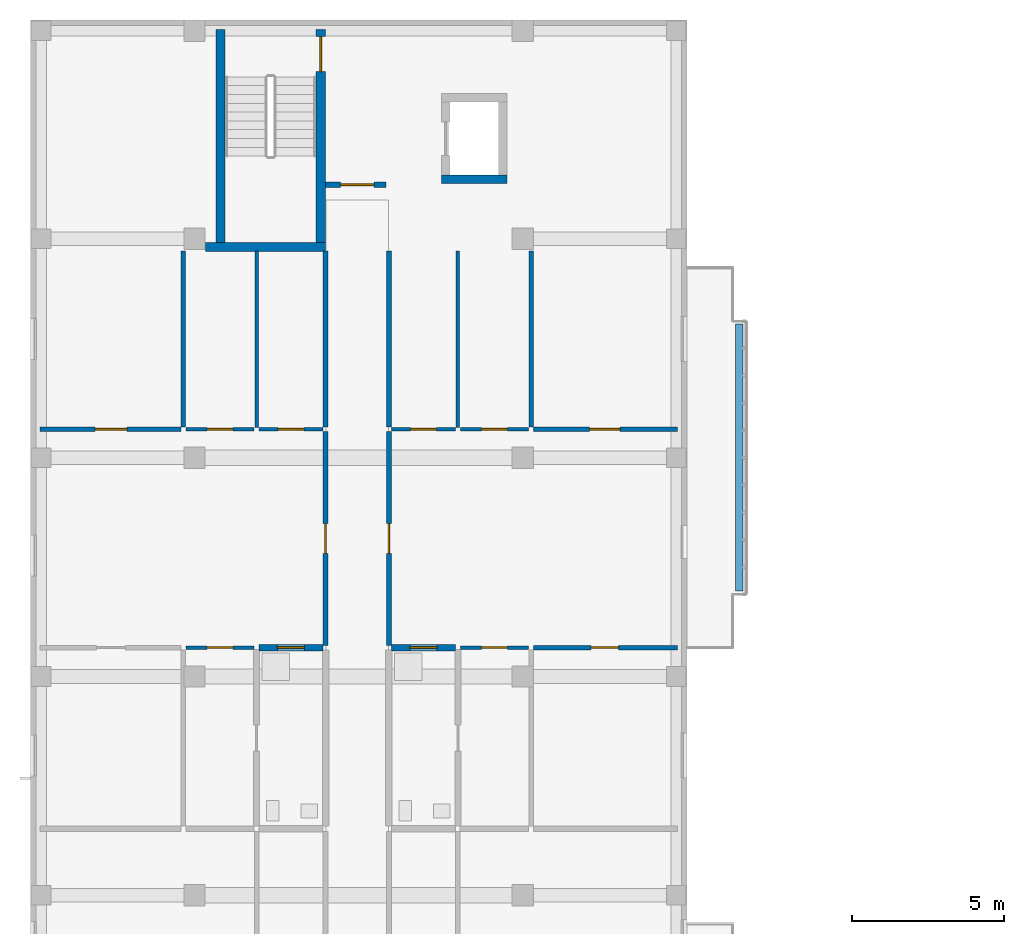
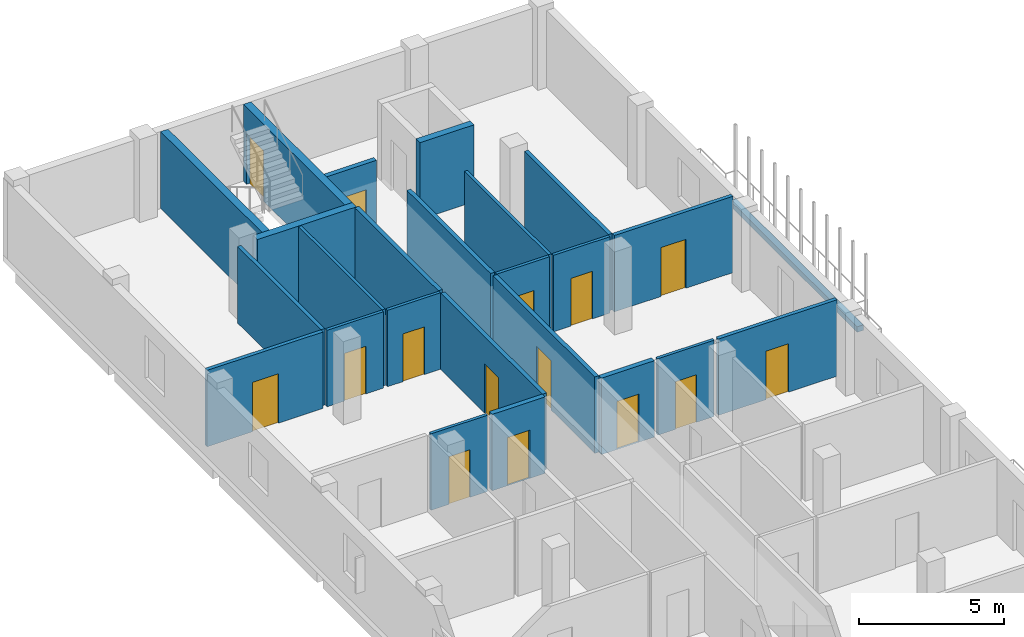
# One storey, part 43 of 73: 25 walls, 15 doors, 15 openings.
"""IFC4 building model written with IfcOpenShell, lengths in metres."""

import ifcopenshell
import ifcopenshell.guid

model = None  # the IFC model being written
_history = None  # IfcOwnerHistory: only IFC2X3 demands one
_inside = {}  # id of a spatial element -> (the spatial element, [elements in it])
_under = {}  # id of a project, library or spatial element -> (it, [spatial elements below it])
_declared = {}  # id of a project -> (the project, [libraries it declares])
_typed = {}  # id of a type object -> (the type object, [elements of that type])
_made_of = {}  # id of a material, layer set ... -> (it, [elements and type objects made of it])


def new_model(schema):
    """Start an empty IFC model of exactly this schema.

    Asked for "IFC4X3", IfcOpenShell would pick the latest addendum, in which some entities
    have other attributes; the version numbers below select the first issue.
    IFC2X3 requires an IfcOwnerHistory on every rooted entity: one is made here for all.
    """
    global model, _history
    if schema == "IFC4X3":
        model = ifcopenshell.file(schema_version=(4, 3, 0, 0))
    else:
        model = ifcopenshell.file(schema=schema)
    _inside.clear()
    _under.clear()
    _declared.clear()
    _typed.clear()
    _made_of.clear()
    _history = None
    if model.schema == "IFC2X3":
        org = make("IfcOrganization", Name="unknown")
        user = make(
            "IfcPersonAndOrganization",
            ThePerson=make("IfcPerson", FamilyName="unknown"),
            TheOrganization=org,
        )
        app = make(
            "IfcApplication",
            ApplicationDeveloper=org,
            Version="unknown",
            ApplicationFullName="unknown",
            ApplicationIdentifier="unknown",
        )
        _history = make(
            "IfcOwnerHistory",
            OwningUser=user,
            OwningApplication=app,
            ChangeAction="ADDED",
            CreationDate=0,
        )
    return model


def make(cls, **values):
    """One entity of the class cls with the attributes given. An attribute that is None is left unset."""
    return model.create_entity(
        cls, **{name: value for name, value in values.items() if value is not None}
    )


def rooted(cls, **values):
    """An entity with a GlobalId (a new one), such as an element, a storey or a relation."""
    return make(cls, GlobalId=ifcopenshell.guid.new(), OwnerHistory=_history, **values)


def si_unit(unit_type, name, prefix=None):
    """IfcSIUnit, for example si_unit("LENGTHUNIT", "METRE", prefix="MILLI")."""
    return make("IfcSIUnit", UnitType=unit_type, Prefix=prefix, Name=name)


def derived_unit(unit_type, elements):
    """IfcDerivedUnit: a product of units, each with its exponent."""
    return make(
        "IfcDerivedUnit",
        Elements=[
            make("IfcDerivedUnitElement", Unit=unit, Exponent=power)
            for unit, power in elements
        ],
        UnitType=unit_type,
    )


def assignment(units):
    """IfcUnitAssignment: the units of a project."""
    return None if units is None else make("IfcUnitAssignment", Units=units)


def point(xyz):
    """IfcCartesianPoint."""
    return None if xyz is None else make("IfcCartesianPoint", Coordinates=xyz)


def direction(xyz):
    """IfcDirection."""
    return None if xyz is None else make("IfcDirection", DirectionRatios=xyz)


def frame(location, z_axis=None, x_axis=None):
    """IfcAxis2Placement3D, a coordinate frame: its origin and axes. An axis left out is left unset."""
    return make(
        "IfcAxis2Placement3D",
        Location=point(location),
        Axis=direction(z_axis),
        RefDirection=direction(x_axis),
    )


def frame_2d(location, x_axis=None):
    """IfcAxis2Placement2D, a coordinate frame in the plane: its origin and x axis."""
    return make(
        "IfcAxis2Placement2D", Location=point(location), RefDirection=direction(x_axis)
    )


def origin():
    """The frame at (0, 0, 0) with its axes left unset."""
    return frame((0.0, 0.0, 0.0))


def place(relative_to, where):
    """IfcLocalPlacement: puts the frame where relative to a parent placement (None: the world)."""
    return make(
        "IfcLocalPlacement", PlacementRelTo=relative_to, RelativePlacement=where
    )


def context(
    kind, dimensions, precision=None, world=None, true_north=None, identifier=None
):
    """IfcGeometricRepresentationContext, for example the 3D "Model" context."""
    return make(
        "IfcGeometricRepresentationContext",
        ContextIdentifier=identifier,
        ContextType=kind,
        CoordinateSpaceDimension=dimensions,
        Precision=precision,
        WorldCoordinateSystem=world,
        TrueNorth=true_north,
    )


def subcontext(parent, identifier, kind, view, scale=None):
    """IfcGeometricRepresentationSubContext, for example "Body" below "Model"."""
    return make(
        "IfcGeometricRepresentationSubContext",
        ContextIdentifier=identifier,
        ContextType=kind,
        ParentContext=parent,
        TargetScale=scale,
        TargetView=view,
    )


def project(units=None, contexts=None):
    """IfcProject with its units and contexts."""
    return rooted(
        "IfcProject",
        Name="project",
        RepresentationContexts=contexts,
        UnitsInContext=assignment(units),
    )


def spatial(cls, under=None, at=None, **own):
    """A site, building, storey or space (cls), placed at a placement, below another one or the project."""
    s = rooted(cls, ObjectPlacement=at, **own)
    if under is not None:
        _under.setdefault(under.id(), (under, []))[1].append(s)
    return s


def profile(cls, at=None, kind="AREA", **sizes):
    """A parametric profile (cls). Its sizes go by their IFC names, for example OverallWidth=200.0."""
    return make(cls, ProfileType=kind, Position=at, **sizes)


def rectangle(**sizes):
    """IfcRectangleProfileDef."""
    return profile("IfcRectangleProfileDef", **sizes)


def extrude(swept, where, along, depth):
    """IfcExtrudedAreaSolid: the profile swept, set in the frame where, extruded along a direction by depth."""
    return make(
        "IfcExtrudedAreaSolid",
        SweptArea=swept,
        Position=where,
        ExtrudedDirection=direction(along),
        Depth=depth,
    )


def shape(context_of_items, identifier, shape_type, items):
    """IfcShapeRepresentation: the items that make up one representation, for example the "Body"."""
    return make(
        "IfcShapeRepresentation",
        ContextOfItems=context_of_items,
        RepresentationIdentifier=identifier,
        RepresentationType=shape_type,
        Items=items,
    )


def material(Name=None, Category=None):
    """IfcMaterial."""
    return make("IfcMaterial", Name=Name, Category=Category)


def layer(
    of_material, thickness, ventilated=None, Name=None, Category=None, Priority=None
):
    """IfcMaterialLayer: one layer of a wall or slab, of a material (None: an air gap)."""
    return make(
        "IfcMaterialLayer",
        Material=of_material,
        LayerThickness=thickness,
        IsVentilated=ventilated,
        Name=Name,
        Category=Category,
        Priority=Priority,
    )


def layer_set(layers, Name=None):
    """IfcMaterialLayerSet."""
    return make("IfcMaterialLayerSet", MaterialLayers=layers, LayerSetName=Name)


def made_of(thing, what):
    """Note that an element or type object is made of a material, layer set ...; save() writes the relation."""
    if what is not None:
        _made_of.setdefault(what.id(), (what, []))[1].append(thing)
    return thing


def type_object(cls, material=None, **own):
    """A type object (cls), such as IfcWallType, which elements share."""
    return made_of(rooted(cls, **own), material)


def element(
    cls,
    number,
    at=None,
    inside=None,
    cuts=None,
    type_object=None,
    material=None,
    context=None,
    identifier="Body",
    shape_type=None,
    held_by="IfcProductDefinitionShape",
    body=None,
    shapes=None,
    **own,
):
    """One element of the class cls, such as IfcWall. Its Tag is "e" and its number.

    at: its placement. inside: the storey or other place that contains it. cuts: it is an
    opening in that element (IfcRelVoidsElement). A single representation is given by context,
    identifier, shape_type and body (its items); several are given by shapes. held_by: the class
    of the entity that holds the representations. save() writes the other relations.
    """
    e = rooted(cls, Tag="e%d" % number, ObjectPlacement=at, **own)
    if body is not None:
        shapes = [shape(context, identifier, shape_type, body)]
    if shapes is not None:
        e.Representation = make(held_by, Representations=shapes)
    if inside is not None:
        _inside.setdefault(inside.id(), (inside, []))[1].append(e)
    if cuts is not None:
        rooted(
            "IfcRelVoidsElement", RelatingBuildingElement=cuts, RelatedOpeningElement=e
        )
    if type_object is not None:
        _typed.setdefault(type_object.id(), (type_object, []))[1].append(e)
    return made_of(e, material)


def fill(opening, filler):
    """IfcRelFillsElement: the door or window that sits in an opening."""
    return rooted(
        "IfcRelFillsElement",
        RelatingOpeningElement=opening,
        RelatedBuildingElement=filler,
    )


def aggregate(whole, parts):
    """IfcRelAggregates: a whole, such as a stair, and the parts it consists of."""
    return rooted("IfcRelAggregates", RelatingObject=whole, RelatedObjects=parts)


def save(model, path):
    """Write the relations noted so far, then the file.

    IfcRelAggregates (storeys below a building ...), IfcRelContainedInSpatialStructure (elements
    in a storey), IfcRelDefinesByType, IfcRelAssociatesMaterial and IfcRelDeclares: one each for
    every whole, place, type object, material and project.
    """
    for whole, parts in _under.values():
        aggregate(whole, parts)
    for where, things in _inside.values():
        rooted(
            "IfcRelContainedInSpatialStructure",
            RelatedElements=things,
            RelatingStructure=where,
        )
    for kind, things in _typed.values():
        rooted("IfcRelDefinesByType", RelatedObjects=things, RelatingType=kind)
    for what, things in _made_of.values():
        rooted("IfcRelAssociatesMaterial", RelatedObjects=things, RelatingMaterial=what)
    for by, libraries in _declared.values():
        rooted("IfcRelDeclares", RelatingContext=by, RelatedDefinitions=libraries)
    model.write(path)


model = new_model("IFC4")

# Units and contexts
model_context = context("Model", 3, precision=1e-05, world=origin(), true_north=direction((0.0, 1.0)))
body_context = subcontext(model_context, "Body", "Model", "MODEL_VIEW")
ifc_project = project(units=[si_unit("LENGTHUNIT", "METRE"), si_unit("AREAUNIT", "SQUARE_METRE"), si_unit("VOLUMEUNIT", "CUBIC_METRE"), si_unit("PLANEANGLEUNIT", "RADIAN"), si_unit("MASSUNIT", "GRAM", prefix="KILO"), derived_unit("THERMALTRANSMITTANCEUNIT", [(si_unit("MASSUNIT", "GRAM", prefix="KILO"), 1), (si_unit("TIMEUNIT", "SECOND"), -3), (si_unit("THERMODYNAMICTEMPERATUREUNIT", "KELVIN"), -1)])], contexts=[model_context])

# Site, building, storey
site_placement = place(None, origin())
site = spatial("IfcSite", under=ifc_project, at=site_placement, CompositionType="ELEMENT")
building_placement = place(site_placement, origin())
building = spatial("IfcBuilding", under=site, at=building_placement, Name="Ochrekiln Boulevard Commons", CompositionType="ELEMENT")
storey_placement = place(building_placement, frame((0.0, 0.0, 8.574951171875)))
storey = spatial("IfcBuildingStorey", under=building, at=storey_placement, Name="L02", CompositionType="ELEMENT", Elevation=8.574951171875)

# Wall, opening, door
ifc_material_1 = material(Name="Moisture-resistant cementitious tile backer wall")
ifc_layer_1 = layer(ifc_material_1, 0.199951171875)
ifc_layer_set_1 = layer_set([ifc_layer_1], Name="Moisture-resistant cementitious tile backer wall")
wall_type_1 = type_object("IfcWallType", Name="WL-PLM-200", PredefinedType="PLUMBINGWALL", material=ifc_layer_set_1)
wall_1_placement = place(storey_placement, frame((7.52001953125, 98.14697265625, 0.0), z_axis=(0.0, 0.0, 1.0), x_axis=(1.0, 0.0, 0.0)))
wall_1 = element("IfcWall", 1, at=wall_1_placement, inside=storey, type_object=wall_type_1, Name="L02 Interior Wall W-PW200", PredefinedType="PLUMBINGWALL", context=body_context, shape_type="SweptSolid", body=[
    extrude(rectangle(XDim=2.10791015625, YDim=0.199951171875, at=frame_2d((1.053955078125, 0.0))), origin(), (0.0, 0.0, 1.0), 3.219970703125),
])
opening_1_placement = place(wall_1_placement, frame((0.60498046875, 0.0, 0.0)))
opening_1 = element("IfcOpeningElement", 2, at=opening_1_placement, cuts=wall_1, Name="Opening D-L02-318", PredefinedType="OPENING", context=body_context, shape_type="SweptSolid", body=[
    extrude(rectangle(XDim=0.889892578125, YDim=2.030029296875, at=frame_2d((0.44482421875, 1.01513671875))), frame((0.0, 0.10986328125, 0.0), z_axis=(0.0, -1.0, 0.0), x_axis=(1.0, 0.0, 0.0)), (0.0, 0.0, 1.0), 0.219970703125),
])
ifc_material_2 = material(Name="Solid core architectural oak door leaf")
door_type_1 = type_object("IfcDoorType", Name="DR-INT-BTH-089", OperationType="NOTDEFINED", PredefinedType="DOOR", material=ifc_material_2)
door_1_placement = place(opening_1_placement, frame((0.889892578125, 0.0, 0.0), z_axis=(0.0, 0.0, 1.0), x_axis=(-1.0, 0.0, 0.0)))
door_1 = element("IfcDoor", 3, at=door_1_placement, inside=storey, type_object=door_type_1, Name="L02 Interior Door to Apartment Bathroom", OperationType="SINGLE_SWING_RIGHT", OverallHeight=2.030029296875, OverallWidth=0.889892578125, PredefinedType="DOOR", context=body_context, shape_type="SweptSolid", body=[
    extrude(rectangle(XDim=0.889892578125, YDim=2.030029296875, at=frame_2d((0.44482421875, 1.01513671875))), frame((0.0, 0.02490234375, 0.0), z_axis=(0.0, -1.0, 0.0), x_axis=(1.0, 0.0, 0.0)), (0.0, 0.0, 1.0), 0.050048828125),
])
fill(opening_1, door_1)

wall_2_placement = place(storey_placement, frame((11.8720703125, 98.14697265625, 0.0), z_axis=(0.0, 0.0, 1.0), x_axis=(1.0, 0.0, 0.0)))
wall_2 = element("IfcWall", 4, at=wall_2_placement, inside=storey, type_object=wall_type_1, Name="L02 Interior Wall W-PW200", PredefinedType="PLUMBINGWALL", context=body_context, shape_type="SweptSolid", body=[
    extrude(rectangle(XDim=2.10791015625, YDim=0.199951171875, at=frame_2d((1.053955078125, 0.0))), origin(), (0.0, 0.0, 1.0), 3.219970703125),
])
opening_2_placement = place(wall_2_placement, frame((0.613037109375, 0.0, 0.0)))
opening_2 = element("IfcOpeningElement", 5, at=opening_2_placement, cuts=wall_2, Name="Opening D-L02-329", PredefinedType="OPENING", context=body_context, shape_type="SweptSolid", body=[
    extrude(rectangle(XDim=0.889892578125, YDim=2.030029296875, at=frame_2d((0.44482421875, 1.01513671875))), frame((0.0, 0.10986328125, 0.0), z_axis=(0.0, -1.0, 0.0), x_axis=(1.0, 0.0, 0.0)), (0.0, 0.0, 1.0), 0.219970703125),
])
door_2_placement = place(opening_2_placement, frame((0.889892578125, 0.0, 0.0), z_axis=(0.0, 0.0, 1.0), x_axis=(-1.0, 0.0, 0.0)))
door_2 = element("IfcDoor", 6, at=door_2_placement, inside=storey, type_object=door_type_1, Name="L02 Interior Door to Apartment Bathroom", OperationType="SINGLE_SWING_LEFT", OverallHeight=2.030029296875, OverallWidth=0.889892578125, PredefinedType="DOOR", context=body_context, shape_type="SweptSolid", body=[
    extrude(rectangle(XDim=0.889892578125, YDim=2.030029296875, at=frame_2d((0.44482421875, 1.01513671875))), frame((0.0, 0.02490234375, 0.0), z_axis=(0.0, -1.0, 0.0), x_axis=(1.0, 0.0, 0.0)), (0.0, 0.0, 1.0), 0.050048828125),
])
fill(opening_2, door_2)

# Wall
ifc_material_3 = material(Name="Glazed architectural terracotta ASTM C1405", Category="masonry")
ifc_layer_2 = layer(ifc_material_3, 0.25)
ifc_layer_set_2 = layer_set([ifc_layer_2], Name="Glazed architectural terracotta ASTM C1405")
wall_type_2 = type_object("IfcWallType", Name="WL-PLN-250", PredefinedType="PARAPET", material=ifc_layer_set_2)
wall_3_placement = place(storey_placement, frame((23.320068359375, 100.010009765625, 0.0), z_axis=(0.0, 0.0, 1.0), x_axis=(0.0, 1.0, 0.0)))
element("IfcWall", 7, at=wall_3_placement, inside=storey, type_object=wall_type_2, Name="Block A L02 Balcony Terracotta Planter Box 2", PredefinedType="PARAPET", context=body_context, shape_type="SweptSolid", body=[
    extrude(rectangle(XDim=8.780029296875, YDim=0.25, at=frame_2d((4.39013671875, 0.0))), origin(), (0.0, 0.0, 1.0), 0.22998046875),
])

# Wall, opening, door
ifc_material_4 = material(Name="Fire-rated Type X gypsum board on steel studs", Category="steel")
ifc_layer_3 = layer(ifc_material_4, 0.1650390625)
ifc_layer_set_3 = layer_set([ifc_layer_3], Name="Fire-rated Type X gypsum board on steel studs")
wall_type_3 = type_object("IfcWallType", Name="WL-PT-CORR-165", PredefinedType="PARTITIONING", material=ifc_layer_set_3)
wall_4_placement = place(storey_placement, frame((9.7099609375, 98.22705078125, 0.0), z_axis=(0.0, 0.0, 1.0), x_axis=(0.0, 1.0, 0.0)))
wall_4 = element("IfcWall", 8, at=wall_4_placement, inside=storey, type_object=wall_type_3, Name="L02 Interior Wall W-PC165", PredefinedType="PARTITIONING", context=body_context, shape_type="SweptSolid", body=[
    extrude(rectangle(XDim=7.02783203125, YDim=0.1650390625, at=frame_2d((3.513916015625, 0.0))), origin(), (0.0, 0.0, 1.0), 3.219970703125),
])
opening_3_placement = place(wall_4_placement, frame((3.02392578125, 0.0, 0.0)))
opening_3 = element("IfcOpeningElement", 9, at=opening_3_placement, cuts=wall_4, Name="Opening D-L02-311", PredefinedType="OPENING", context=body_context, shape_type="SweptSolid", body=[
    extrude(rectangle(XDim=0.97998046875, YDim=2.080078125, at=frame_2d((0.489990234375, 1.0400390625))), frame((0.0, 0.092529296875, 0.0), z_axis=(0.0, -1.0, 0.0), x_axis=(1.0, 0.0, 0.0)), (0.0, 0.0, 1.0), 0.18505859375),
])
door_type_2 = type_object("IfcDoorType", Name="DR-APT-60", OperationType="NOTDEFINED", PredefinedType="DOOR", material=ifc_material_2)
door_3_placement = place(opening_3_placement, origin())
door_3 = element("IfcDoor", 10, at=door_3_placement, inside=storey, type_object=door_type_2, Name="L02 Interior Door to Two-Bedroom Apartment Living Room", OperationType="SINGLE_SWING_LEFT", OverallHeight=2.080078125, OverallWidth=0.97998046875, PredefinedType="DOOR", context=body_context, shape_type="SweptSolid", body=[
    extrude(rectangle(XDim=0.97998046875, YDim=2.080078125, at=frame_2d((0.489990234375, 1.0400390625))), frame((0.0, 0.02490234375, 0.0), z_axis=(0.0, -1.0, 0.0), x_axis=(1.0, 0.0, 0.0)), (0.0, 0.0, 1.0), 0.050048828125),
])
fill(opening_3, door_3)

# Wall
wall_5_placement = place(storey_placement, frame((9.7099609375, 105.4150390625, 0.0), z_axis=(0.0, 0.0, 1.0), x_axis=(0.0, 1.0, 0.0)))
element("IfcWall", 11, at=wall_5_placement, inside=storey, type_object=wall_type_3, Name="L02 Interior Wall W-PC165", PredefinedType="PARTITIONING", context=body_context, shape_type="SweptSolid", body=[
    extrude(rectangle(XDim=5.784912109375, YDim=0.1650390625, at=frame_2d((2.892578125, 0.0))), origin(), (0.0, 0.0, 1.0), 3.219970703125),
])

# Wall, opening, door
wall_6_placement = place(storey_placement, frame((11.7900390625, 98.22705078125, 0.0), z_axis=(0.0, 0.0, 1.0), x_axis=(0.0, 1.0, 0.0)))
wall_6 = element("IfcWall", 12, at=wall_6_placement, inside=storey, type_object=wall_type_3, Name="L02 Interior Wall W-PC165", PredefinedType="PARTITIONING", context=body_context, shape_type="SweptSolid", body=[
    extrude(rectangle(XDim=7.02783203125, YDim=0.1650390625, at=frame_2d((3.513916015625, 0.0))), origin(), (0.0, 0.0, 1.0), 3.219970703125),
])
opening_4_placement = place(wall_6_placement, frame((3.02392578125, 0.0, 0.0)))
opening_4 = element("IfcOpeningElement", 13, at=opening_4_placement, cuts=wall_6, Name="Opening D-L02-313", PredefinedType="OPENING", context=body_context, shape_type="SweptSolid", body=[
    extrude(rectangle(XDim=0.97998046875, YDim=2.080078125, at=frame_2d((0.489990234375, 1.0400390625))), frame((0.0, 0.092529296875, 0.0), z_axis=(0.0, -1.0, 0.0), x_axis=(1.0, 0.0, 0.0)), (0.0, 0.0, 1.0), 0.18505859375),
])
door_4_placement = place(opening_4_placement, frame((0.97998046875, 0.0, 0.0), z_axis=(0.0, 0.0, 1.0), x_axis=(-1.0, 0.0, 0.0)))
door_4 = element("IfcDoor", 14, at=door_4_placement, inside=storey, type_object=door_type_2, Name="L02 Interior Door to Two-Bedroom Apartment Living Room", OperationType="SINGLE_SWING_LEFT", OverallHeight=2.080078125, OverallWidth=0.97998046875, PredefinedType="DOOR", context=body_context, shape_type="SweptSolid", body=[
    extrude(rectangle(XDim=0.97998046875, YDim=2.080078125, at=frame_2d((0.489990234375, 1.0400390625))), frame((0.0, 0.02490234375, 0.0), z_axis=(0.0, -1.0, 0.0), x_axis=(1.0, 0.0, 0.0)), (0.0, 0.0, 1.0), 0.050048828125),
])
fill(opening_4, door_4)

# Wall
wall_7_placement = place(storey_placement, frame((11.7900390625, 105.4150390625, 0.0), z_axis=(0.0, 0.0, 1.0), x_axis=(0.0, 1.0, 0.0)))
element("IfcWall", 15, at=wall_7_placement, inside=storey, type_object=wall_type_3, Name="L02 Interior Wall W-PC165", PredefinedType="PARTITIONING", context=body_context, shape_type="SweptSolid", body=[
    extrude(rectangle(XDim=5.784912109375, YDim=0.1650390625, at=frame_2d((2.892578125, 0.0))), origin(), (0.0, 0.0, 1.0), 3.219970703125),
])

# Wall, opening, door
ifc_layer_4 = layer(ifc_material_4, 0.18994140625)
ifc_layer_set_4 = layer_set([ifc_layer_4], Name="Fire-rated Type X gypsum board on steel studs")
wall_type_4 = type_object("IfcWallType", Name="WL-PT-LBY-190", PredefinedType="PARTITIONING", material=ifc_layer_set_4)
wall_8_placement = place(storey_placement, frame((9.699951171875, 113.3798828125, 0.0), z_axis=(0.0, 0.0, 1.0), x_axis=(1.0, 0.0, 0.0)))
wall_8 = element("IfcWall", 16, at=wall_8_placement, inside=storey, type_object=wall_type_4, Name="L02 Interior Wall W-PL190", PredefinedType="PARTITIONING", context=body_context, shape_type="SweptSolid", body=[
    extrude(rectangle(XDim=2.0, YDim=0.18994140625, at=frame_2d((1.0, 0.0))), origin(), (0.0, 0.0, 1.0), 3.219970703125),
])
opening_5_placement = place(wall_8_placement, frame((0.5, 0.0, 0.0)))
opening_5 = element("IfcOpeningElement", 17, at=opening_5_placement, cuts=wall_8, Name="Opening D-L02-308", PredefinedType="OPENING", context=body_context, shape_type="SweptSolid", body=[
    extrude(rectangle(XDim=1.10009765625, YDim=2.1201171875, at=frame_2d((0.550048828125, 1.06005859375))), frame((0.0, 0.10498046875, 0.0), z_axis=(0.0, -1.0, 0.0), x_axis=(1.0, 0.0, 0.0)), (0.0, 0.0, 1.0), 0.2099609375),
])
ifc_material_5 = material(Name="Hollow metal fire-rated steel door assembly", Category="steel")
door_type_3 = type_object("IfcDoorType", Name="DR-LOBBY-60", OperationType="NOTDEFINED", PredefinedType="DOOR", material=ifc_material_5)
door_5_placement = place(opening_5_placement, origin())
door_5 = element("IfcDoor", 18, at=door_5_placement, inside=storey, type_object=door_type_3, Name="L02 Interior Door to Fire Service Access Elevator Lobby", OperationType="SINGLE_SWING_RIGHT", OverallHeight=2.1201171875, OverallWidth=1.10009765625, PredefinedType="DOOR", context=body_context, shape_type="SweptSolid", body=[
    extrude(rectangle(XDim=1.10009765625, YDim=2.1201171875, at=frame_2d((0.550048828125, 1.06005859375))), frame((0.0, 0.02490234375, 0.0), z_axis=(0.0, -1.0, 0.0), x_axis=(1.0, 0.0, 0.0)), (0.0, 0.0, 1.0), 0.050048828125),
])
fill(opening_5, door_5)

ifc_layer_5 = layer(ifc_material_4, 0.1201171875)
ifc_layer_set_5 = layer_set([ifc_layer_5], Name="Fire-rated Type X gypsum board on steel studs")
wall_type_5 = type_object("IfcWallType", Name="WL-PT-LGT-120", PredefinedType="PARTITIONING", material=ifc_layer_set_5)
wall_9_placement = place(storey_placement, frame((7.52001953125, 105.3349609375, 0.0), z_axis=(0.0, 0.0, 1.0), x_axis=(1.0, 0.0, 0.0)))
wall_9 = element("IfcWall", 19, at=wall_9_placement, inside=storey, type_object=wall_type_5, Name="L02 Interior Wall W-PL120", PredefinedType="PARTITIONING", context=body_context, shape_type="SweptSolid", body=[
    extrude(rectangle(XDim=2.10791015625, YDim=0.1201171875, at=frame_2d((1.053955078125, 0.0))), origin(), (0.0, 0.0, 1.0), 3.219970703125),
])
opening_6_placement = place(wall_9_placement, frame((0.625, 0.0, 0.0)))
opening_6 = element("IfcOpeningElement", 20, at=opening_6_placement, cuts=wall_9, Name="Opening D-L02-319", PredefinedType="OPENING", context=body_context, shape_type="SweptSolid", body=[
    extrude(rectangle(XDim=0.85009765625, YDim=2.010009765625, at=frame_2d((0.425048828125, 1.0048828125))), frame((0.0, 0.070068359375, 0.0), z_axis=(0.0, -1.0, 0.0), x_axis=(1.0, 0.0, 0.0)), (0.0, 0.0, 1.0), 0.14013671875),
])
door_type_4 = type_object("IfcDoorType", Name="DR-INT-KIT-085", OperationType="NOTDEFINED", PredefinedType="DOOR", material=ifc_material_2)
door_6_placement = place(opening_6_placement, origin())
door_6 = element("IfcDoor", 21, at=door_6_placement, inside=storey, type_object=door_type_4, Name="L02 Interior Door to Apartment Kitchen", OperationType="SINGLE_SWING_LEFT", OverallHeight=2.010009765625, OverallWidth=0.85009765625, PredefinedType="DOOR", context=body_context, shape_type="SweptSolid", body=[
    extrude(rectangle(XDim=0.85009765625, YDim=2.010009765625, at=frame_2d((0.425048828125, 1.0048828125))), frame((0.0, 0.02490234375, 0.0), z_axis=(0.0, -1.0, 0.0), x_axis=(1.0, 0.0, 0.0)), (0.0, 0.0, 1.0), 0.050048828125),
])
fill(opening_6, door_6)

wall_10_placement = place(storey_placement, frame((5.110107421875, 98.14697265625, 0.0), z_axis=(0.0, 0.0, 1.0), x_axis=(1.0, 0.0, 0.0)))
wall_10 = element("IfcWall", 22, at=wall_10_placement, inside=storey, type_object=wall_type_5, Name="L02 Interior Wall W-PL120", PredefinedType="PARTITIONING", context=body_context, shape_type="SweptSolid", body=[
    extrude(rectangle(XDim=2.25, YDim=0.1201171875, at=frame_2d((1.125, 0.0))), origin(), (0.0, 0.0, 1.0), 3.219970703125),
])
opening_7_placement = place(wall_10_placement, frame((0.699951171875, 0.0, 0.0)))
opening_7 = element("IfcOpeningElement", 23, at=opening_7_placement, cuts=wall_10, Name="Opening D-L02-321", PredefinedType="OPENING", context=body_context, shape_type="SweptSolid", body=[
    extrude(rectangle(XDim=0.85009765625, YDim=2.010009765625, at=frame_2d((0.425048828125, 1.0048828125))), frame((0.0, 0.070068359375, 0.0), z_axis=(0.0, -1.0, 0.0), x_axis=(1.0, 0.0, 0.0)), (0.0, 0.0, 1.0), 0.14013671875),
])
door_7_placement = place(opening_7_placement, frame((0.85009765625, 0.0, 0.0), z_axis=(0.0, 0.0, 1.0), x_axis=(-1.0, 0.0, 0.0)))
door_7 = element("IfcDoor", 24, at=door_7_placement, inside=storey, type_object=door_type_4, Name="L02 Interior Door to Apartment Walk-In Wardrobe", OperationType="SINGLE_SWING_LEFT", OverallHeight=2.010009765625, OverallWidth=0.85009765625, PredefinedType="DOOR", context=body_context, shape_type="SweptSolid", body=[
    extrude(rectangle(XDim=0.85009765625, YDim=2.010009765625, at=frame_2d((0.425048828125, 1.0048828125))), frame((0.0, 0.02490234375, 0.0), z_axis=(0.0, -1.0, 0.0), x_axis=(1.0, 0.0, 0.0)), (0.0, 0.0, 1.0), 0.050048828125),
])
fill(opening_7, door_7)

wall_11_placement = place(storey_placement, frame((5.110107421875, 105.3349609375, 0.0), z_axis=(0.0, 0.0, 1.0), x_axis=(1.0, 0.0, 0.0)))
wall_11 = element("IfcWall", 25, at=wall_11_placement, inside=storey, type_object=wall_type_5, Name="L02 Interior Wall W-PL120", PredefinedType="PARTITIONING", context=body_context, shape_type="SweptSolid", body=[
    extrude(rectangle(XDim=2.25, YDim=0.1201171875, at=frame_2d((1.125, 0.0))), origin(), (0.0, 0.0, 1.0), 3.219970703125),
])
opening_8_placement = place(wall_11_placement, frame((0.699951171875, 0.0, 0.0)))
opening_8 = element("IfcOpeningElement", 26, at=opening_8_placement, cuts=wall_11, Name="Opening D-L02-323", PredefinedType="OPENING", context=body_context, shape_type="SweptSolid", body=[
    extrude(rectangle(XDim=0.85009765625, YDim=2.010009765625, at=frame_2d((0.425048828125, 1.0048828125))), frame((0.0, 0.070068359375, 0.0), z_axis=(0.0, -1.0, 0.0), x_axis=(1.0, 0.0, 0.0)), (0.0, 0.0, 1.0), 0.14013671875),
])
door_8_placement = place(opening_8_placement, origin())
door_8 = element("IfcDoor", 27, at=door_8_placement, inside=storey, type_object=door_type_4, Name="L02 Interior Door to Apartment Walk-In Wardrobe", OperationType="SINGLE_SWING_LEFT", OverallHeight=2.010009765625, OverallWidth=0.85009765625, PredefinedType="DOOR", context=body_context, shape_type="SweptSolid", body=[
    extrude(rectangle(XDim=0.85009765625, YDim=2.010009765625, at=frame_2d((0.425048828125, 1.0048828125))), frame((0.0, 0.02490234375, 0.0), z_axis=(0.0, -1.0, 0.0), x_axis=(1.0, 0.0, 0.0)), (0.0, 0.0, 1.0), 0.050048828125),
])
fill(opening_8, door_8)

# Wall
wall_12_placement = place(storey_placement, frame((7.43994140625, 105.39501953125, 0.0), z_axis=(0.0, 0.0, 1.0), x_axis=(0.0, 1.0, 0.0)))
element("IfcWall", 28, at=wall_12_placement, inside=storey, type_object=wall_type_5, Name="L02 Interior Wall W-PL120", PredefinedType="PARTITIONING", context=body_context, shape_type="SweptSolid", body=[
    extrude(rectangle(XDim=5.804931640625, YDim=0.1201171875, at=frame_2d((2.90234375, 0.0))), origin(), (0.0, 0.0, 1.0), 3.219970703125),
])

# Wall, opening, door
wall_13_placement = place(storey_placement, frame((11.8720703125, 105.3349609375, 0.0), z_axis=(0.0, 0.0, 1.0), x_axis=(1.0, 0.0, 0.0)))
wall_13 = element("IfcWall", 29, at=wall_13_placement, inside=storey, type_object=wall_type_5, Name="L02 Interior Wall W-PL120", PredefinedType="PARTITIONING", context=body_context, shape_type="SweptSolid", body=[
    extrude(rectangle(XDim=2.10791015625, YDim=0.1201171875, at=frame_2d((1.053955078125, 0.0))), origin(), (0.0, 0.0, 1.0), 3.219970703125),
])
opening_9_placement = place(wall_13_placement, frame((0.633056640625, 0.0, 0.0)))
opening_9 = element("IfcOpeningElement", 30, at=opening_9_placement, cuts=wall_13, Name="Opening D-L02-330", PredefinedType="OPENING", context=body_context, shape_type="SweptSolid", body=[
    extrude(rectangle(XDim=0.85009765625, YDim=2.010009765625, at=frame_2d((0.425048828125, 1.0048828125))), frame((0.0, 0.070068359375, 0.0), z_axis=(0.0, -1.0, 0.0), x_axis=(1.0, 0.0, 0.0)), (0.0, 0.0, 1.0), 0.14013671875),
])
door_9_placement = place(opening_9_placement, origin())
door_9 = element("IfcDoor", 31, at=door_9_placement, inside=storey, type_object=door_type_4, Name="L02 Interior Door to Apartment Kitchen", OperationType="SINGLE_SWING_RIGHT", OverallHeight=2.010009765625, OverallWidth=0.85009765625, PredefinedType="DOOR", context=body_context, shape_type="SweptSolid", body=[
    extrude(rectangle(XDim=0.85009765625, YDim=2.010009765625, at=frame_2d((0.425048828125, 1.0048828125))), frame((0.0, 0.02490234375, 0.0), z_axis=(0.0, -1.0, 0.0), x_axis=(1.0, 0.0, 0.0)), (0.0, 0.0, 1.0), 0.050048828125),
])
fill(opening_9, door_9)

wall_14_placement = place(storey_placement, frame((14.139892578125, 98.14697265625, 0.0), z_axis=(0.0, 0.0, 1.0), x_axis=(1.0, 0.0, 0.0)))
wall_14 = element("IfcWall", 32, at=wall_14_placement, inside=storey, type_object=wall_type_5, Name="L02 Interior Wall W-PL120", PredefinedType="PARTITIONING", context=body_context, shape_type="SweptSolid", body=[
    extrude(rectangle(XDim=2.25, YDim=0.1201171875, at=frame_2d((1.125, 0.0))), origin(), (0.0, 0.0, 1.0), 3.219970703125),
])
opening_10_placement = place(wall_14_placement, frame((0.699951171875, 0.0, 0.0)))
opening_10 = element("IfcOpeningElement", 33, at=opening_10_placement, cuts=wall_14, Name="Opening D-L02-332", PredefinedType="OPENING", context=body_context, shape_type="SweptSolid", body=[
    extrude(rectangle(XDim=0.85009765625, YDim=2.010009765625, at=frame_2d((0.425048828125, 1.0048828125))), frame((0.0, 0.070068359375, 0.0), z_axis=(0.0, -1.0, 0.0), x_axis=(1.0, 0.0, 0.0)), (0.0, 0.0, 1.0), 0.14013671875),
])
door_10_placement = place(opening_10_placement, frame((0.85009765625, 0.0, 0.0), z_axis=(0.0, 0.0, 1.0), x_axis=(-1.0, 0.0, 0.0)))
door_10 = element("IfcDoor", 34, at=door_10_placement, inside=storey, type_object=door_type_4, Name="L02 Interior Door to Apartment Walk-In Wardrobe", OperationType="SINGLE_SWING_RIGHT", OverallHeight=2.010009765625, OverallWidth=0.85009765625, PredefinedType="DOOR", context=body_context, shape_type="SweptSolid", body=[
    extrude(rectangle(XDim=0.85009765625, YDim=2.010009765625, at=frame_2d((0.425048828125, 1.0048828125))), frame((0.0, 0.02490234375, 0.0), z_axis=(0.0, -1.0, 0.0), x_axis=(1.0, 0.0, 0.0)), (0.0, 0.0, 1.0), 0.050048828125),
])
fill(opening_10, door_10)

wall_15_placement = place(storey_placement, frame((14.139892578125, 105.3349609375, 0.0), z_axis=(0.0, 0.0, 1.0), x_axis=(1.0, 0.0, 0.0)))
wall_15 = element("IfcWall", 35, at=wall_15_placement, inside=storey, type_object=wall_type_5, Name="L02 Interior Wall W-PL120", PredefinedType="PARTITIONING", context=body_context, shape_type="SweptSolid", body=[
    extrude(rectangle(XDim=2.25, YDim=0.1201171875, at=frame_2d((1.125, 0.0))), origin(), (0.0, 0.0, 1.0), 3.219970703125),
])
opening_11_placement = place(wall_15_placement, frame((0.699951171875, 0.0, 0.0)))
opening_11 = element("IfcOpeningElement", 36, at=opening_11_placement, cuts=wall_15, Name="Opening D-L02-334", PredefinedType="OPENING", context=body_context, shape_type="SweptSolid", body=[
    extrude(rectangle(XDim=0.85009765625, YDim=2.010009765625, at=frame_2d((0.425048828125, 1.0048828125))), frame((0.0, 0.070068359375, 0.0), z_axis=(0.0, -1.0, 0.0), x_axis=(1.0, 0.0, 0.0)), (0.0, 0.0, 1.0), 0.14013671875),
])
door_11_placement = place(opening_11_placement, origin())
door_11 = element("IfcDoor", 37, at=door_11_placement, inside=storey, type_object=door_type_4, Name="L02 Interior Door to Apartment Walk-In Wardrobe", OperationType="SINGLE_SWING_RIGHT", OverallHeight=2.010009765625, OverallWidth=0.85009765625, PredefinedType="DOOR", context=body_context, shape_type="SweptSolid", body=[
    extrude(rectangle(XDim=0.85009765625, YDim=2.010009765625, at=frame_2d((0.425048828125, 1.0048828125))), frame((0.0, 0.02490234375, 0.0), z_axis=(0.0, -1.0, 0.0), x_axis=(1.0, 0.0, 0.0)), (0.0, 0.0, 1.0), 0.050048828125),
])
fill(opening_11, door_11)

# Wall
wall_16_placement = place(storey_placement, frame((14.06005859375, 105.39501953125, 0.0), z_axis=(0.0, 0.0, 1.0), x_axis=(0.0, 1.0, 0.0)))
element("IfcWall", 38, at=wall_16_placement, inside=storey, type_object=wall_type_5, Name="L02 Interior Wall W-PL120", PredefinedType="PARTITIONING", context=body_context, shape_type="SweptSolid", body=[
    extrude(rectangle(XDim=5.804931640625, YDim=0.1201171875, at=frame_2d((2.90234375, 0.0))), origin(), (0.0, 0.0, 1.0), 3.219970703125),
])

# Wall, opening, door
ifc_layer_6 = layer(ifc_material_4, 0.14990234375)
ifc_layer_set_6 = layer_set([ifc_layer_6], Name="Fire-rated Type X gypsum board on steel studs")
wall_type_6 = type_object("IfcWallType", Name="WL-PT-STD-150", PredefinedType="PARTITIONING", material=ifc_layer_set_6)
wall_17_placement = place(storey_placement, frame((0.320068359375, 105.3349609375, 0.0), z_axis=(0.0, 0.0, 1.0), x_axis=(1.0, 0.0, 0.0)))
wall_17 = element("IfcWall", 39, at=wall_17_placement, inside=storey, type_object=wall_type_6, Name="L02 Interior Wall W-PS150", PredefinedType="PARTITIONING", context=body_context, shape_type="SweptSolid", body=[
    extrude(rectangle(XDim=4.6298828125, YDim=0.14990234375, at=frame_2d((2.31494140625, 0.0))), origin(), (0.0, 0.0, 1.0), 3.219970703125),
])
opening_12_placement = place(wall_17_placement, frame((1.81005859375, 0.0, 0.0)))
opening_12 = element("IfcOpeningElement", 40, at=opening_12_placement, cuts=wall_17, Name="Opening D-L02-322", PredefinedType="OPENING", context=body_context, shape_type="SweptSolid", body=[
    extrude(rectangle(XDim=1.0400390625, YDim=2.080078125, at=frame_2d((0.52001953125, 1.0400390625))), frame((0.0, 0.0849609375, 0.0), z_axis=(0.0, -1.0, 0.0), x_axis=(1.0, 0.0, 0.0)), (0.0, 0.0, 1.0), 0.169921875),
])
door_type_5 = type_object("IfcDoorType", Name="DR-INT-BED-104", OperationType="NOTDEFINED", PredefinedType="DOOR", material=ifc_material_2)
door_12_placement = place(opening_12_placement, origin())
door_12 = element("IfcDoor", 41, at=door_12_placement, inside=storey, type_object=door_type_5, Name="L02 Interior Door to Secondary Apartment Bedroom", OperationType="SINGLE_SWING_RIGHT", OverallHeight=2.080078125, OverallWidth=1.0400390625, PredefinedType="DOOR", context=body_context, shape_type="SweptSolid", body=[
    extrude(rectangle(XDim=1.0400390625, YDim=2.080078125, at=frame_2d((0.52001953125, 1.0400390625))), frame((0.0, 0.02490234375, 0.0), z_axis=(0.0, -1.0, 0.0), x_axis=(1.0, 0.0, 0.0)), (0.0, 0.0, 1.0), 0.050048828125),
])
fill(opening_12, door_12)

# Wall
wall_18_placement = place(storey_placement, frame((5.030029296875, 105.409912109375, 0.0), z_axis=(0.0, 0.0, 1.0), x_axis=(0.0, 1.0, 0.0)))
element("IfcWall", 42, at=wall_18_placement, inside=storey, type_object=wall_type_6, Name="L02 Interior Wall W-PS150", PredefinedType="PARTITIONING", context=body_context, shape_type="SweptSolid", body=[
    extrude(rectangle(XDim=5.7900390625, YDim=0.14990234375, at=frame_2d((2.89501953125, 0.0))), origin(), (0.0, 0.0, 1.0), 3.219970703125),
])

# Wall, opening, door
wall_19_placement = place(storey_placement, frame((16.550048828125, 98.14697265625, 0.0), z_axis=(0.0, 0.0, 1.0), x_axis=(1.0, 0.0, 0.0)))
wall_19 = element("IfcWall", 43, at=wall_19_placement, inside=storey, type_object=wall_type_6, Name="L02 Interior Wall W-PS150", PredefinedType="PARTITIONING", context=body_context, shape_type="SweptSolid", body=[
    extrude(rectangle(XDim=4.72998046875, YDim=0.14990234375, at=frame_2d((2.364990234375, 0.0))), origin(), (0.0, 0.0, 1.0), 3.219970703125),
])
opening_13_placement = place(wall_19_placement, frame((1.89990234375, 0.0, 0.0)))
opening_13 = element("IfcOpeningElement", 44, at=opening_13_placement, cuts=wall_19, Name="Opening D-L02-331", PredefinedType="OPENING", context=body_context, shape_type="SweptSolid", body=[
    extrude(rectangle(XDim=0.89990234375, YDim=2.0400390625, at=frame_2d((0.449951171875, 1.02001953125))), frame((0.0, 0.0849609375, 0.0), z_axis=(0.0, -1.0, 0.0), x_axis=(1.0, 0.0, 0.0)), (0.0, 0.0, 1.0), 0.169921875),
])
door_type_6 = type_object("IfcDoorType", Name="DR-INT-BED-090", OperationType="NOTDEFINED", PredefinedType="DOOR", material=ifc_material_2)
door_13_placement = place(opening_13_placement, frame((0.89990234375, 0.0, 0.0), z_axis=(0.0, 0.0, 1.0), x_axis=(-1.0, 0.0, 0.0)))
door_13 = element("IfcDoor", 45, at=door_13_placement, inside=storey, type_object=door_type_6, Name="L02 Interior Door to Primary Apartment Bedroom", OperationType="SINGLE_SWING_LEFT", OverallHeight=2.0400390625, OverallWidth=0.89990234375, PredefinedType="DOOR", context=body_context, shape_type="SweptSolid", body=[
    extrude(rectangle(XDim=0.89990234375, YDim=2.0400390625, at=frame_2d((0.449951171875, 1.02001953125))), frame((0.0, 0.02490234375, 0.0), z_axis=(0.0, -1.0, 0.0), x_axis=(1.0, 0.0, 0.0)), (0.0, 0.0, 1.0), 0.050048828125),
])
fill(opening_13, door_13)

wall_20_placement = place(storey_placement, frame((16.550048828125, 105.3349609375, 0.0), z_axis=(0.0, 0.0, 1.0), x_axis=(1.0, 0.0, 0.0)))
wall_20 = element("IfcWall", 46, at=wall_20_placement, inside=storey, type_object=wall_type_6, Name="L02 Interior Wall W-PS150", PredefinedType="PARTITIONING", context=body_context, shape_type="SweptSolid", body=[
    extrude(rectangle(XDim=4.72998046875, YDim=0.14990234375, at=frame_2d((2.364990234375, 0.0))), origin(), (0.0, 0.0, 1.0), 3.219970703125),
])
opening_14_placement = place(wall_20_placement, frame((1.85009765625, 0.0, 0.0)))
opening_14 = element("IfcOpeningElement", 47, at=opening_14_placement, cuts=wall_20, Name="Opening D-L02-333", PredefinedType="OPENING", context=body_context, shape_type="SweptSolid", body=[
    extrude(rectangle(XDim=1.0, YDim=2.06005859375, at=frame_2d((0.5, 1.030029296875))), frame((0.0, 0.0849609375, 0.0), z_axis=(0.0, -1.0, 0.0), x_axis=(1.0, 0.0, 0.0)), (0.0, 0.0, 1.0), 0.169921875),
])
door_type_7 = type_object("IfcDoorType", Name="DR-INT-BED-100", OperationType="NOTDEFINED", PredefinedType="DOOR", material=ifc_material_2)
door_14_placement = place(opening_14_placement, origin())
door_14 = element("IfcDoor", 48, at=door_14_placement, inside=storey, type_object=door_type_7, Name="L02 Interior Door to Secondary Apartment Bedroom", OperationType="SINGLE_SWING_LEFT", OverallHeight=2.06005859375, OverallWidth=1.0, PredefinedType="DOOR", context=body_context, shape_type="SweptSolid", body=[
    extrude(rectangle(XDim=1.0, YDim=2.06005859375, at=frame_2d((0.5, 1.030029296875))), frame((0.0, 0.02490234375, 0.0), z_axis=(0.0, -1.0, 0.0), x_axis=(1.0, 0.0, 0.0)), (0.0, 0.0, 1.0), 0.050048828125),
])
fill(opening_14, door_14)

# Walls
wall_21_placement = place(storey_placement, frame((16.469970703125, 105.409912109375, 0.0), z_axis=(0.0, 0.0, 1.0), x_axis=(0.0, 1.0, 0.0)))
element("IfcWall", 49, at=wall_21_placement, inside=storey, type_object=wall_type_6, Name="L02 Interior Wall W-PS150", PredefinedType="PARTITIONING", context=body_context, shape_type="SweptSolid", body=[
    extrude(rectangle(XDim=5.7900390625, YDim=0.14990234375, at=frame_2d((2.89501953125, 0.0))), origin(), (0.0, 0.0, 1.0), 3.219970703125),
])
ifc_material_6 = material(Name="Concrete C40/50", Category="concrete")
ifc_layer_7 = layer(ifc_material_6, 0.27490234375)
ifc_layer_set_7 = layer_set([ifc_layer_7], Name="Concrete C40/50")
wall_type_7 = type_object("IfcWallType", Name="WL-SH-275", PredefinedType="SHEAR", material=ifc_layer_set_7)
wall_22_placement = place(storey_placement, frame((13.52490234375, 113.5625, 0.0), z_axis=(0.0, 0.0, 1.0), x_axis=(1.0, 0.0, 0.0)))
element("IfcWall", 50, at=wall_22_placement, inside=storey, type_object=wall_type_7, Name="Elevator FF-A2 L02 Hoistway Shear Wall", PredefinedType="SHEAR", context=body_context, shape_type="SweptSolid", body=[
    extrude(rectangle(XDim=2.150146484375, YDim=0.27490234375, at=frame_2d((1.0751953125, 0.0))), origin(), (0.0, 0.0, 1.0), 3.239990234375),
])
ifc_layer_8 = layer(ifc_material_6, 0.300048828125)
ifc_layer_set_8 = layer_set([ifc_layer_8], Name="Concrete C40/50")
wall_type_8 = type_object("IfcWallType", Name="WL-SH-300", PredefinedType="SHEAR", material=ifc_layer_set_8)
wall_23_placement = place(storey_placement, frame((5.75, 111.330078125, 0.0), z_axis=(0.0, 0.0, 1.0), x_axis=(1.0, 0.0, 0.0)))
element("IfcWall", 51, at=wall_23_placement, inside=storey, type_object=wall_type_8, Name="Stair ST-A2 L02 Core Shear Wall S", PredefinedType="SHEAR", context=body_context, shape_type="SweptSolid", body=[
    extrude(rectangle(XDim=3.949951171875, YDim=0.300048828125, at=frame_2d((1.97509765625, 0.0))), origin(), (0.0, 0.0, 1.0), 3.239990234375),
])
wall_24_placement = place(storey_placement, frame((6.25, 111.47998046875, 0.0), z_axis=(0.0, 0.0, 1.0), x_axis=(0.0, 1.0, 0.0)))
element("IfcWall", 52, at=wall_24_placement, inside=storey, type_object=wall_type_8, Name="Stair ST-A2 L02 Core Shear Wall W", PredefinedType="SHEAR", context=body_context, shape_type="SweptSolid", body=[
    extrude(rectangle(XDim=7.0, YDim=0.300048828125, at=frame_2d((3.5, 0.0))), origin(), (0.0, 0.0, 1.0), 3.239990234375),
])

# Wall, opening, door
wall_25_placement = place(storey_placement, frame((9.550048828125, 111.47998046875, 0.0), z_axis=(0.0, 0.0, 1.0), x_axis=(0.0, 1.0, 0.0)))
wall_25 = element("IfcWall", 53, at=wall_25_placement, inside=storey, type_object=wall_type_8, Name="Stair ST-A2 L02 Core Shear Wall E", PredefinedType="SHEAR", context=body_context, shape_type="SweptSolid", body=[
    extrude(rectangle(XDim=7.0, YDim=0.300048828125, at=frame_2d((3.5, 0.0))), origin(), (0.0, 0.0, 1.0), 3.239990234375),
])
opening_15_placement = place(wall_25_placement, frame((5.625, 0.0, 0.0)))
opening_15 = element("IfcOpeningElement", 54, at=opening_15_placement, cuts=wall_25, Name="Opening D-L02-ST-A2", PredefinedType="OPENING", context=body_context, shape_type="SweptSolid", body=[
    extrude(rectangle(XDim=1.14990234375, YDim=2.1201171875, at=frame_2d((0.574951171875, 1.06005859375))), frame((0.0, 0.159912109375, 0.0), z_axis=(0.0, -1.0, 0.0), x_axis=(1.0, 0.0, 0.0)), (0.0, 0.0, 1.0), 0.320068359375),
])
door_type_8 = type_object("IfcDoorType", Name="DR-STAIR-90", OperationType="NOTDEFINED", PredefinedType="DOOR", material=ifc_material_5)
door_15_placement = place(opening_15_placement, origin())
door_15 = element("IfcDoor", 55, at=door_15_placement, inside=storey, type_object=door_type_8, Name="Enclosed Exit Stair ST-A2 L02 Rated Door", OperationType="SINGLE_SWING_RIGHT", OverallHeight=2.1201171875, OverallWidth=1.14990234375, PredefinedType="DOOR", context=body_context, shape_type="SweptSolid", body=[
    extrude(rectangle(XDim=1.14990234375, YDim=2.1201171875, at=frame_2d((0.574951171875, 1.06005859375))), frame((0.0, 0.02490234375, 0.0), z_axis=(0.0, -1.0, 0.0), x_axis=(1.0, 0.0, 0.0)), (0.0, 0.0, 1.0), 0.050048828125),
])
fill(opening_15, door_15)

save(model, "model.ifc")
